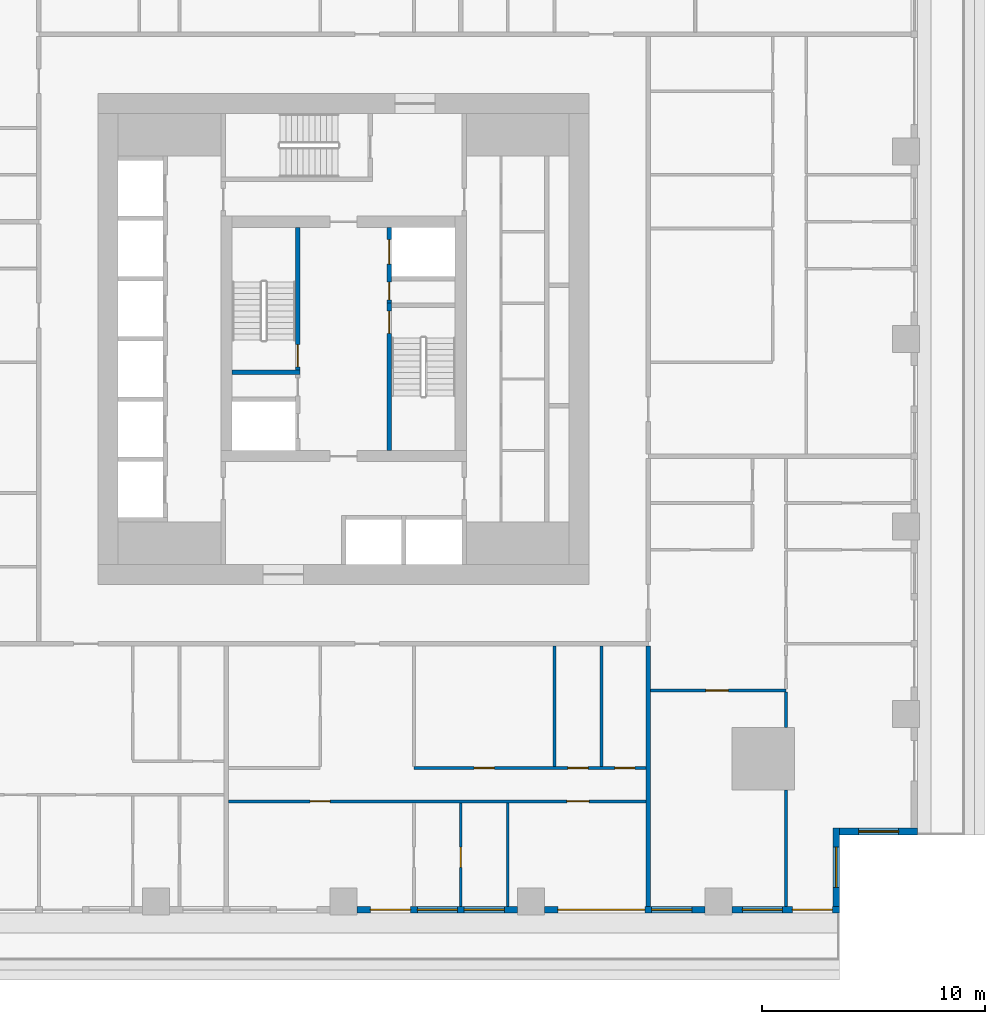
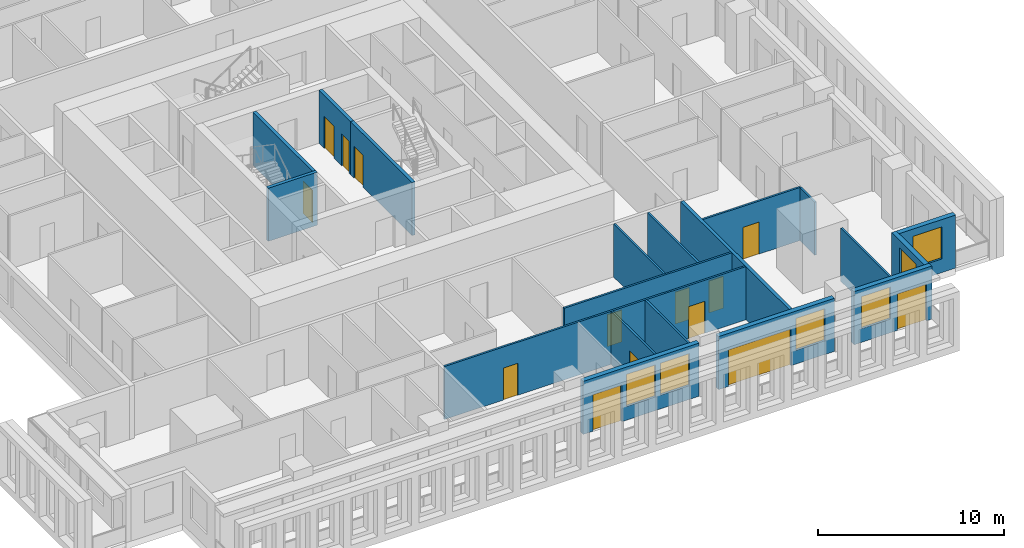
# One storey, part 4 of 15: 19 walls, 14 doors, 6 windows, 20 openings.
"""IFC4 building model written with IfcOpenShell, lengths in metres."""

from ifc_helpers import new_model, si_unit, direction, frame, frame_2d, origin, place, context, subcontext, project, spatial, rectangle, extrude, material, layer, layer_set, type_object, element, fill, save


model = new_model("IFC4")

# Units and contexts
model_context = context("Model", 3, precision=1e-05, world=origin(), true_north=direction((0.0, 1.0)))
body_context = subcontext(model_context, "Body", "Model", "MODEL_VIEW")
ifc_project = project(units=[si_unit("LENGTHUNIT", "METRE"), si_unit("AREAUNIT", "SQUARE_METRE"), si_unit("VOLUMEUNIT", "CUBIC_METRE"), si_unit("PLANEANGLEUNIT", "RADIAN"), si_unit("MASSUNIT", "GRAM", prefix="KILO")], contexts=[model_context])

# Site, building, storey
site_placement = place(None, origin())
site = spatial("IfcSite", under=ifc_project, at=site_placement, CompositionType="ELEMENT")
building_placement = place(site_placement, origin())
building = spatial("IfcBuilding", under=site, at=building_placement, Name="Khepri Terraces", CompositionType="ELEMENT")
storey_placement = place(building_placement, frame((0.0, 0.0, 118.199951171875)))
storey = spatial("IfcBuildingStorey", under=building, at=storey_placement, Name="L28", CompositionType="ELEMENT", Elevation=118.199951171875)

# Wall, opening, door
ifc_material_1 = material(Name="Concrete C70/85", Category="concrete")
ifc_layer_1 = layer(ifc_material_1, 0.199951171875, Name="Concrete C70/85", Category="concrete")
ifc_layer_set_1 = layer_set([ifc_layer_1], Name="Concrete C70/85")
wall_type_1 = type_object("IfcWallType", Name="Core wall 200 C70/85", PredefinedType="SHEAR", material=ifc_layer_set_1)
wall_1_placement = place(storey_placement, frame((2.050048828125, -5.0, 0.0), z_axis=(0.0, 0.0, 1.0), x_axis=(0.0, 1.0, 0.0)))
wall_1 = element("IfcWall", 1, at=wall_1_placement, inside=storey, type_object=wall_type_1, Name="Core wall ST01 L28", PredefinedType="SHEAR", context=body_context, shape_type="SweptSolid", body=[
    extrude(rectangle(XDim=6.60009765625, YDim=0.199951171875, at=frame_2d((3.300048828125, 0.0))), origin(), (0.0, 0.0, 1.0), 3.47998046875),
])
opening_1_placement = place(wall_1_placement, frame((5.25, 0.0, 0.0)))
opening_1 = element("IfcOpeningElement", 2, at=opening_1_placement, cuts=wall_1, Name="Opening L28-C10", PredefinedType="OPENING", context=body_context, shape_type="SweptSolid", body=[
    extrude(rectangle(XDim=1.0, YDim=2.10009765625, at=frame_2d((0.5, 1.050048828125))), frame((0.0, 0.10986328125, 0.0), z_axis=(0.0, -1.0, 0.0), x_axis=(1.0, 0.0, 0.0)), (0.0, 0.0, 1.0), 0.219970703125),
])
ifc_material_2 = material(Name="Painted steel", Category="steel")
door_type_1 = type_object("IfcDoorType", Name="DR-CORE-STAIR-1000", OperationType="NOTDEFINED", PredefinedType="DOOR", material=ifc_material_2)
door_1_placement = place(opening_1_placement, frame((1.0, 0.0, 0.0), z_axis=(0.0, 0.0, 1.0), x_axis=(-1.0, 0.0, 0.0)))
door_1 = element("IfcDoor", 3, at=door_1_placement, inside=storey, type_object=door_type_1, Name="Stair door L28-C10", OperationType="SINGLE_SWING_LEFT", OverallHeight=2.10009765625, OverallWidth=1.0, PredefinedType="DOOR", context=body_context, shape_type="SweptSolid", body=[
    extrude(rectangle(XDim=1.0, YDim=2.10009765625, at=frame_2d((0.5, 1.050048828125))), frame((0.0, 0.02490234375, 0.0), z_axis=(0.0, -1.0, 0.0), x_axis=(1.0, 0.0, 0.0)), (0.0, 0.0, 1.0), 0.050048828125),
])
fill(opening_1, door_1)

# Wall
wall_2_placement = place(storey_placement, frame((-5.0, -1.5, 0.0), z_axis=(0.0, 0.0, 1.0), x_axis=(1.0, 0.0, 0.0)))
element("IfcWall", 4, at=wall_2_placement, inside=storey, type_object=wall_type_1, Name="Core wall ST02 L28", PredefinedType="SHEAR", context=body_context, shape_type="SweptSolid", body=[
    extrude(rectangle(XDim=3.050048828125, YDim=0.199951171875, at=frame_2d((1.52490234375, 0.0))), origin(), (0.0, 0.0, 1.0), 3.47998046875),
])

# Wall, opening, door
wall_3_placement = place(storey_placement, frame((-2.050048828125, -1.39990234375, 0.0), z_axis=(0.0, 0.0, 1.0), x_axis=(0.0, 1.0, 0.0)))
wall_3 = element("IfcWall", 5, at=wall_3_placement, inside=storey, type_object=wall_type_1, Name="Core wall ST03 L28", PredefinedType="SHEAR", context=body_context, shape_type="SweptSolid", body=[
    extrude(rectangle(XDim=6.39990234375, YDim=0.199951171875, at=frame_2d((3.199951171875, 0.0))), origin(), (0.0, 0.0, 1.0), 3.47998046875),
])
opening_2_placement = place(wall_3_placement, frame((0.14990234375, 0.0, 0.0)))
opening_2 = element("IfcOpeningElement", 6, at=opening_2_placement, cuts=wall_3, Name="Opening L28-C09", PredefinedType="OPENING", context=body_context, shape_type="SweptSolid", body=[
    extrude(rectangle(XDim=1.0, YDim=2.10009765625, at=frame_2d((0.5, 1.050048828125))), frame((0.0, 0.10986328125, 0.0), z_axis=(0.0, -1.0, 0.0), x_axis=(1.0, 0.0, 0.0)), (0.0, 0.0, 1.0), 0.219970703125),
])
door_2_placement = place(opening_2_placement, origin())
door_2 = element("IfcDoor", 7, at=door_2_placement, inside=storey, type_object=door_type_1, Name="Stair door L28-C09", OperationType="SINGLE_SWING_LEFT", OverallHeight=2.10009765625, OverallWidth=1.0, PredefinedType="DOOR", context=body_context, shape_type="SweptSolid", body=[
    extrude(rectangle(XDim=1.0, YDim=2.10009765625, at=frame_2d((0.5, 1.050048828125))), frame((0.0, 0.02490234375, 0.0), z_axis=(0.0, -1.0, 0.0), x_axis=(1.0, 0.0, 0.0)), (0.0, 0.0, 1.0), 0.050048828125),
])
fill(opening_2, door_2)

# Wall, openings, doors
wall_4_placement = place(storey_placement, frame((2.050048828125, 1.60009765625, 0.0), z_axis=(0.0, 0.0, 1.0), x_axis=(0.0, 1.0, 0.0)))
wall_4 = element("IfcWall", 8, at=wall_4_placement, inside=storey, type_object=wall_type_1, Name="Core wall SH15 L28", PredefinedType="SHEAR", context=body_context, shape_type="SweptSolid", body=[
    extrude(rectangle(XDim=3.39990234375, YDim=0.199951171875, at=frame_2d((1.699951171875, 0.0))), origin(), (0.0, 0.0, 1.0), 3.47998046875),
])
opening_3_placement = place(wall_4_placement, frame((1.75, 0.0, 0.0)))
opening_3 = element("IfcOpeningElement", 9, at=opening_3_placement, cuts=wall_4, Name="Opening L28-C07", PredefinedType="OPENING", context=body_context, shape_type="SweptSolid", body=[
    extrude(rectangle(XDim=1.10009765625, YDim=2.10009765625, at=frame_2d((0.550048828125, 1.050048828125))), frame((0.0, 0.10986328125, 0.0), z_axis=(0.0, -1.0, 0.0), x_axis=(1.0, 0.0, 0.0)), (0.0, 0.0, 1.0), 0.219970703125),
])
opening_4_placement = place(wall_4_placement, frame((0.14990234375, 0.0, 0.0)))
opening_4 = element("IfcOpeningElement", 10, at=opening_4_placement, cuts=wall_4, Name="Opening L28-C11", PredefinedType="OPENING", context=body_context, shape_type="SweptSolid", body=[
    extrude(rectangle(XDim=0.800048828125, YDim=2.10009765625, at=frame_2d((0.39990234375, 1.050048828125))), frame((0.0, 0.10986328125, 0.0), z_axis=(0.0, -1.0, 0.0), x_axis=(1.0, 0.0, 0.0)), (0.0, 0.0, 1.0), 0.219970703125),
])
ifc_material_3 = material(Name="Stainless steel 304", Category="steel")
door_type_2 = type_object("IfcDoorType", Name="DR-CORE-FF-LANDING-1100", OperationType="NOTDEFINED", PredefinedType="DOOR", material=ifc_material_3)
door_3_placement = place(opening_3_placement, origin())
door_3 = element("IfcDoor", 11, at=door_3_placement, inside=storey, type_object=door_type_2, Name="Firefighting lift landing door L28-C07", OperationType="SLIDING_TO_LEFT", OverallHeight=2.10009765625, OverallWidth=1.10009765625, PredefinedType="DOOR", context=body_context, shape_type="SweptSolid", body=[
    extrude(rectangle(XDim=1.10009765625, YDim=2.10009765625, at=frame_2d((0.550048828125, 1.050048828125))), frame((0.0, 0.02490234375, 0.0), z_axis=(0.0, -1.0, 0.0), x_axis=(1.0, 0.0, 0.0)), (0.0, 0.0, 1.0), 0.050048828125),
])
fill(opening_3, door_3)
door_type_3 = type_object("IfcDoorType", Name="DR-CORE-RISER-800", OperationType="NOTDEFINED", PredefinedType="DOOR", material=ifc_material_2)
door_4_placement = place(opening_4_placement, frame((0.800048828125, 0.0, 0.0), z_axis=(0.0, 0.0, 1.0), x_axis=(-1.0, 0.0, 0.0)))
door_4 = element("IfcDoor", 12, at=door_4_placement, inside=storey, type_object=door_type_3, Name="Riser door L28-C11", OperationType="SINGLE_SWING_RIGHT", OverallHeight=2.10009765625, OverallWidth=0.800048828125, PredefinedType="DOOR", context=body_context, shape_type="SweptSolid", body=[
    extrude(rectangle(XDim=0.800048828125, YDim=2.10009765625, at=frame_2d((0.39990234375, 1.050048828125))), frame((0.0, 0.02490234375, 0.0), z_axis=(0.0, -1.0, 0.0), x_axis=(1.0, 0.0, 0.0)), (0.0, 0.0, 1.0), 0.050048828125),
])
fill(opening_4, door_4)

# Wall
ifc_material_4 = material(Name="Fire-rated gypsum plasterboard partition, mineral wool")
ifc_layer_2 = layer(ifc_material_4, 0.199951171875, Name="Fire-rated gypsum plasterboard partition, mineral wool")
ifc_layer_set_2 = layer_set([ifc_layer_2], Name="Fire-rated gypsum plasterboard partition, mineral wool")
wall_type_2 = type_object("IfcWallType", Name="WL-CORR-200", PredefinedType="PARTITIONING", material=ifc_layer_set_2)
wall_5_placement = place(storey_placement, frame((13.64990234375, -25.419921875, 0.0), z_axis=(0.0, 0.0, 1.0), x_axis=(0.0, 1.0, 0.0)))
element("IfcWall", 13, at=wall_5_placement, inside=storey, type_object=wall_type_2, Name="Partition P-008 L28", PredefinedType="PARTITIONING", context=body_context, shape_type="SweptSolid", body=[
    extrude(rectangle(XDim=11.669921875, YDim=0.199951171875, at=frame_2d((5.8349609375, 0.0))), origin(), (0.0, 0.0, 1.0), 3.47998046875),
])

# Wall, opening, window
ifc_material_5 = material(Name="Precast concrete C50/60 warm stone", Category="masonry")
ifc_layer_3 = layer(ifc_material_5, 0.300048828125, Name="Precast concrete C50/60 warm stone", Category="masonry")
ifc_layer_set_3 = layer_set([ifc_layer_3], Name="Precast concrete C50/60 warm stone")
wall_type_3 = type_object("IfcWallType", Name="WL-EXT-PRECAST-300", PredefinedType="STANDARD", material=ifc_layer_set_3)
wall_6_placement = place(storey_placement, frame((22.219970703125, -22.070068359375, 0.0), z_axis=(0.0, 0.0, 1.0), x_axis=(1.0, 0.0, 0.0)))
wall_6 = element("IfcWall", 14, at=wall_6_placement, inside=storey, type_object=wall_type_3, Name="External wall L28 S", PredefinedType="STANDARD", context=body_context, shape_type="SweptSolid", body=[
    extrude(rectangle(XDim=3.5, YDim=0.300048828125, at=frame_2d((1.75, 0.0))), origin(), (0.0, 0.0, 1.0), 3.47998046875),
])
opening_5_placement = place(wall_6_placement, frame((0.85009765625, 0.0, 0.89990234375)))
opening_5 = element("IfcOpeningElement", 15, at=opening_5_placement, cuts=wall_6, Name="Opening W1", PredefinedType="OPENING", context=body_context, shape_type="SweptSolid", body=[
    extrude(rectangle(XDim=1.800048828125, YDim=2.10009765625, at=frame_2d((0.89990234375, 1.050048828125))), frame((0.0, 0.16015625, 0.0), z_axis=(0.0, -1.0, 0.0), x_axis=(1.0, 0.0, 0.0)), (0.0, 0.0, 1.0), 0.320068359375),
])
ifc_material_6 = material(Name="Clear glass", Category="glass")
window_type = type_object("IfcWindowType", Name="WIN-RES-1800x2100", PartitioningType="SINGLE_PANEL", PredefinedType="WINDOW", material=ifc_material_6)
window_1_placement = place(opening_5_placement, origin())
window_1 = element("IfcWindow", 16, at=window_1_placement, inside=storey, type_object=window_type, Name="Window L28 S", OverallHeight=2.10009765625, OverallWidth=1.800048828125, PartitioningType="SINGLE_PANEL", PredefinedType="WINDOW", context=body_context, shape_type="SweptSolid", body=[
    extrude(rectangle(XDim=1.800048828125, YDim=2.10009765625, at=frame_2d((0.89990234375, 1.050048828125))), frame((0.0, 0.030029296875, 0.0), z_axis=(0.0, -1.0, 0.0), x_axis=(1.0, 0.0, 0.0)), (0.0, 0.0, 1.0), 0.06005859375),
])
fill(opening_5, window_1)

# Wall, openings, door, windows
wall_7_placement = place(storey_placement, frame((0.60009765625, -25.570068359375, 0.0), z_axis=(0.0, 0.0, 1.0), x_axis=(1.0, 0.0, 0.0)))
wall_7 = element("IfcWall", 17, at=wall_7_placement, inside=storey, type_object=wall_type_3, Name="External wall L28 S", PredefinedType="STANDARD", context=body_context, shape_type="SweptSolid", body=[
    extrude(rectangle(XDim=7.199951171875, YDim=0.300048828125, at=frame_2d((3.60009765625, 0.0))), origin(), (0.0, 0.0, 1.0), 3.47998046875),
])
opening_6_placement = place(wall_7_placement, frame((0.60009765625, 0.0, 0.0)))
opening_6 = element("IfcOpeningElement", 18, at=opening_6_placement, cuts=wall_7, Name="Opening ED-L28-24", PredefinedType="OPENING", context=body_context, shape_type="SweptSolid", body=[
    extrude(rectangle(XDim=1.800048828125, YDim=2.39990234375, at=frame_2d((0.89990234375, 1.199951171875))), frame((0.0, 0.16015625, 0.0), z_axis=(0.0, -1.0, 0.0), x_axis=(1.0, 0.0, 0.0)), (0.0, 0.0, 1.0), 0.320068359375),
])
opening_7_placement = place(wall_7_placement, frame((2.699951171875, 0.0, 0.89990234375)))
opening_7 = element("IfcOpeningElement", 19, at=opening_7_placement, cuts=wall_7, Name="Opening W1", PredefinedType="OPENING", context=body_context, shape_type="SweptSolid", body=[
    extrude(rectangle(XDim=1.800048828125, YDim=2.10009765625, at=frame_2d((0.89990234375, 1.050048828125))), frame((0.0, 0.16015625, 0.0), z_axis=(0.0, -1.0, 0.0), x_axis=(1.0, 0.0, 0.0)), (0.0, 0.0, 1.0), 0.320068359375),
])
opening_8_placement = place(wall_7_placement, frame((4.800048828125, 0.0, 0.89990234375)))
opening_8 = element("IfcOpeningElement", 20, at=opening_8_placement, cuts=wall_7, Name="Opening W1", PredefinedType="OPENING", context=body_context, shape_type="SweptSolid", body=[
    extrude(rectangle(XDim=1.800048828125, YDim=2.10009765625, at=frame_2d((0.89990234375, 1.050048828125))), frame((0.0, 0.16015625, 0.0), z_axis=(0.0, -1.0, 0.0), x_axis=(1.0, 0.0, 0.0)), (0.0, 0.0, 1.0), 0.320068359375),
])
ifc_material_7 = material(Name="Anodised aluminium bronze glazed door", Category="aluminium")
door_type_4 = type_object("IfcDoorType", Name="DR-BAL-SLIDE-1800x2400", OperationType="NOTDEFINED", PredefinedType="DOOR", material=ifc_material_7)
door_5_placement = place(opening_6_placement, origin())
door_5 = element("IfcDoor", 21, at=door_5_placement, inside=storey, type_object=door_type_4, Name="Balcony door L28 S", OperationType="SLIDING_TO_LEFT", OverallHeight=2.39990234375, OverallWidth=1.800048828125, PredefinedType="DOOR", context=body_context, shape_type="SweptSolid", body=[
    extrude(rectangle(XDim=1.800048828125, YDim=2.39990234375, at=frame_2d((0.89990234375, 1.199951171875))), frame((0.0, 0.02490234375, 0.0), z_axis=(0.0, -1.0, 0.0), x_axis=(1.0, 0.0, 0.0)), (0.0, 0.0, 1.0), 0.050048828125),
])
fill(opening_6, door_5)
window_2_placement = place(opening_7_placement, origin())
window_2 = element("IfcWindow", 22, at=window_2_placement, inside=storey, type_object=window_type, Name="Window L28 S", OverallHeight=2.10009765625, OverallWidth=1.800048828125, PartitioningType="SINGLE_PANEL", PredefinedType="WINDOW", context=body_context, shape_type="SweptSolid", body=[
    extrude(rectangle(XDim=1.800048828125, YDim=2.10009765625, at=frame_2d((0.89990234375, 1.050048828125))), frame((0.0, 0.030029296875, 0.0), z_axis=(0.0, -1.0, 0.0), x_axis=(1.0, 0.0, 0.0)), (0.0, 0.0, 1.0), 0.06005859375),
])
fill(opening_7, window_2)
window_3_placement = place(opening_8_placement, origin())
window_3 = element("IfcWindow", 23, at=window_3_placement, inside=storey, type_object=window_type, Name="Window L28 S", OverallHeight=2.10009765625, OverallWidth=1.800048828125, PartitioningType="SINGLE_PANEL", PredefinedType="WINDOW", context=body_context, shape_type="SweptSolid", body=[
    extrude(rectangle(XDim=1.800048828125, YDim=2.10009765625, at=frame_2d((0.89990234375, 1.050048828125))), frame((0.0, 0.030029296875, 0.0), z_axis=(0.0, -1.0, 0.0), x_axis=(1.0, 0.0, 0.0)), (0.0, 0.0, 1.0), 0.06005859375),
])
fill(opening_8, window_3)

# Wall, openings, door, window
wall_8_placement = place(storey_placement, frame((9.0, -25.570068359375, 0.0), z_axis=(0.0, 0.0, 1.0), x_axis=(1.0, 0.0, 0.0)))
wall_8 = element("IfcWall", 24, at=wall_8_placement, inside=storey, type_object=wall_type_3, Name="External wall L28 S", PredefinedType="STANDARD", context=body_context, shape_type="SweptSolid", body=[
    extrude(rectangle(XDim=7.199951171875, YDim=0.300048828125, at=frame_2d((3.60009765625, 0.0))), origin(), (0.0, 0.0, 1.0), 3.47998046875),
])
opening_9_placement = place(wall_8_placement, frame((0.60009765625, 0.0, 0.0)))
opening_9 = element("IfcOpeningElement", 25, at=opening_9_placement, cuts=wall_8, Name="Opening ED-L28-25", PredefinedType="OPENING", context=body_context, shape_type="SweptSolid", body=[
    extrude(rectangle(XDim=3.89990234375, YDim=2.39990234375, at=frame_2d((1.949951171875, 1.199951171875))), frame((0.0, 0.16015625, 0.0), z_axis=(0.0, -1.0, 0.0), x_axis=(1.0, 0.0, 0.0)), (0.0, 0.0, 1.0), 0.320068359375),
])
opening_10_placement = place(wall_8_placement, frame((4.800048828125, 0.0, 0.89990234375)))
opening_10 = element("IfcOpeningElement", 26, at=opening_10_placement, cuts=wall_8, Name="Opening W1", PredefinedType="OPENING", context=body_context, shape_type="SweptSolid", body=[
    extrude(rectangle(XDim=1.800048828125, YDim=2.10009765625, at=frame_2d((0.89990234375, 1.050048828125))), frame((0.0, 0.16015625, 0.0), z_axis=(0.0, -1.0, 0.0), x_axis=(1.0, 0.0, 0.0)), (0.0, 0.0, 1.0), 0.320068359375),
])
door_type_5 = type_object("IfcDoorType", Name="DR-BAL-SLIDE-3900x2400", OperationType="NOTDEFINED", PredefinedType="DOOR", material=ifc_material_7)
door_6_placement = place(opening_9_placement, origin())
door_6 = element("IfcDoor", 27, at=door_6_placement, inside=storey, type_object=door_type_5, Name="Balcony door L28 S", OperationType="SLIDING_TO_LEFT", OverallHeight=2.39990234375, OverallWidth=3.89990234375, PredefinedType="DOOR", context=body_context, shape_type="SweptSolid", body=[
    extrude(rectangle(XDim=3.89990234375, YDim=2.39990234375, at=frame_2d((1.949951171875, 1.199951171875))), frame((0.0, 0.02490234375, 0.0), z_axis=(0.0, -1.0, 0.0), x_axis=(1.0, 0.0, 0.0)), (0.0, 0.0, 1.0), 0.050048828125),
])
fill(opening_9, door_6)
window_4_placement = place(opening_10_placement, origin())
window_4 = element("IfcWindow", 28, at=window_4_placement, inside=storey, type_object=window_type, Name="Window L28 S", OverallHeight=2.10009765625, OverallWidth=1.800048828125, PartitioningType="SINGLE_PANEL", PredefinedType="WINDOW", context=body_context, shape_type="SweptSolid", body=[
    extrude(rectangle(XDim=1.800048828125, YDim=2.10009765625, at=frame_2d((0.89990234375, 1.050048828125))), frame((0.0, 0.030029296875, 0.0), z_axis=(0.0, -1.0, 0.0), x_axis=(1.0, 0.0, 0.0)), (0.0, 0.0, 1.0), 0.06005859375),
])
fill(opening_10, window_4)

wall_9_placement = place(storey_placement, frame((17.39990234375, -25.570068359375, 0.0), z_axis=(0.0, 0.0, 1.0), x_axis=(1.0, 0.0, 0.0)))
wall_9 = element("IfcWall", 29, at=wall_9_placement, inside=storey, type_object=wall_type_3, Name="External wall L28 S", PredefinedType="STANDARD", context=body_context, shape_type="SweptSolid", body=[
    extrude(rectangle(XDim=4.820068359375, YDim=0.300048828125, at=frame_2d((2.41015625, 0.0))), origin(), (0.0, 0.0, 1.0), 3.47998046875),
])
opening_11_placement = place(wall_9_placement, frame((2.699951171875, 0.0, 0.0)))
opening_11 = element("IfcOpeningElement", 30, at=opening_11_placement, cuts=wall_9, Name="Opening ED-L28-26", PredefinedType="OPENING", context=body_context, shape_type="SweptSolid", body=[
    extrude(rectangle(XDim=1.800048828125, YDim=2.39990234375, at=frame_2d((0.89990234375, 1.199951171875))), frame((0.0, 0.16015625, 0.0), z_axis=(0.0, -1.0, 0.0), x_axis=(1.0, 0.0, 0.0)), (0.0, 0.0, 1.0), 0.320068359375),
])
opening_12_placement = place(wall_9_placement, frame((0.4599609375, 0.0, 0.89990234375)))
opening_12 = element("IfcOpeningElement", 31, at=opening_12_placement, cuts=wall_9, Name="Opening W1", PredefinedType="OPENING", context=body_context, shape_type="SweptSolid", body=[
    extrude(rectangle(XDim=1.800048828125, YDim=2.10009765625, at=frame_2d((0.89990234375, 1.050048828125))), frame((0.0, 0.16015625, 0.0), z_axis=(0.0, -1.0, 0.0), x_axis=(1.0, 0.0, 0.0)), (0.0, 0.0, 1.0), 0.320068359375),
])
door_7_placement = place(opening_11_placement, origin())
door_7 = element("IfcDoor", 32, at=door_7_placement, inside=storey, type_object=door_type_4, Name="Balcony door L28 S", OperationType="SLIDING_TO_LEFT", OverallHeight=2.39990234375, OverallWidth=1.800048828125, PredefinedType="DOOR", context=body_context, shape_type="SweptSolid", body=[
    extrude(rectangle(XDim=1.800048828125, YDim=2.39990234375, at=frame_2d((0.89990234375, 1.199951171875))), frame((0.0, 0.02490234375, 0.0), z_axis=(0.0, -1.0, 0.0), x_axis=(1.0, 0.0, 0.0)), (0.0, 0.0, 1.0), 0.050048828125),
])
fill(opening_11, door_7)
window_5_placement = place(opening_12_placement, origin())
window_5 = element("IfcWindow", 33, at=window_5_placement, inside=storey, type_object=window_type, Name="Window L28 S", OverallHeight=2.10009765625, OverallWidth=1.800048828125, PartitioningType="SINGLE_PANEL", PredefinedType="WINDOW", context=body_context, shape_type="SweptSolid", body=[
    extrude(rectangle(XDim=1.800048828125, YDim=2.10009765625, at=frame_2d((0.89990234375, 1.050048828125))), frame((0.0, 0.030029296875, 0.0), z_axis=(0.0, -1.0, 0.0), x_axis=(1.0, 0.0, 0.0)), (0.0, 0.0, 1.0), 0.06005859375),
])
fill(opening_12, window_5)

# Wall, opening, window
wall_10_placement = place(storey_placement, frame((22.070068359375, -25.419921875, 0.0), z_axis=(0.0, 0.0, 1.0), x_axis=(0.0, 1.0, 0.0)))
wall_10 = element("IfcWall", 34, at=wall_10_placement, inside=storey, type_object=wall_type_3, Name="External wall L28 E", PredefinedType="STANDARD", context=body_context, shape_type="SweptSolid", body=[
    extrude(rectangle(XDim=3.5, YDim=0.300048828125, at=frame_2d((1.75, 0.0))), origin(), (0.0, 0.0, 1.0), 3.47998046875),
])
opening_13_placement = place(wall_10_placement, frame((0.85009765625, 0.0, 0.89990234375)))
opening_13 = element("IfcOpeningElement", 35, at=opening_13_placement, cuts=wall_10, Name="Opening W1", PredefinedType="OPENING", context=body_context, shape_type="SweptSolid", body=[
    extrude(rectangle(XDim=1.800048828125, YDim=2.10009765625, at=frame_2d((0.89990234375, 1.050048828125))), frame((0.0, 0.16015625, 0.0), z_axis=(0.0, -1.0, 0.0), x_axis=(1.0, 0.0, 0.0)), (0.0, 0.0, 1.0), 0.320068359375),
])
window_6_placement = place(opening_13_placement, origin())
window_6 = element("IfcWindow", 36, at=window_6_placement, inside=storey, type_object=window_type, Name="Window L28 E", OverallHeight=2.10009765625, OverallWidth=1.800048828125, PartitioningType="SINGLE_PANEL", PredefinedType="WINDOW", context=body_context, shape_type="SweptSolid", body=[
    extrude(rectangle(XDim=1.800048828125, YDim=2.10009765625, at=frame_2d((0.89990234375, 1.050048828125))), frame((0.0, 0.030029296875, 0.0), z_axis=(0.0, -1.0, 0.0), x_axis=(1.0, 0.0, 0.0)), (0.0, 0.0, 1.0), 0.06005859375),
])
fill(opening_13, window_6)

# Wall, opening, door
ifc_material_8 = material(Name="Gypsum plasterboard partition")
ifc_layer_4 = layer(ifc_material_8, 0.1201171875, Name="Gypsum plasterboard partition")
ifc_layer_set_4 = layer_set([ifc_layer_4], Name="Gypsum plasterboard partition")
wall_type_4 = type_object("IfcWallType", Name="WL-PART-120", PredefinedType="PARTITIONING", material=ifc_layer_set_4)
wall_11_placement = place(storey_placement, frame((5.25, -25.419921875, 0.0), z_axis=(0.0, 0.0, 1.0), x_axis=(0.0, 1.0, 0.0)))
wall_11 = element("IfcWall", 37, at=wall_11_placement, inside=storey, type_object=wall_type_4, Name="Partition P-006 L28", PredefinedType="PARTITIONING", context=body_context, shape_type="SweptSolid", body=[
    extrude(rectangle(XDim=4.639892578125, YDim=0.1201171875, at=frame_2d((2.31982421875, 0.0))), origin(), (0.0, 0.0, 1.0), 3.47998046875),
])
opening_14_placement = place(wall_11_placement, frame((1.75, 0.0, 0.0)))
opening_14 = element("IfcOpeningElement", 38, at=opening_14_placement, cuts=wall_11, Name="Opening D4", PredefinedType="OPENING", context=body_context, shape_type="SweptSolid", body=[
    extrude(rectangle(XDim=0.89990234375, YDim=2.10009765625, at=frame_2d((0.449951171875, 1.050048828125))), frame((0.0, 0.070068359375, 0.0), z_axis=(0.0, -1.0, 0.0), x_axis=(1.0, 0.0, 0.0)), (0.0, 0.0, 1.0), 0.14013671875),
])
ifc_material_9 = material(Name="Timber door leaf, moisture resistant", Category="wood")
door_type_6 = type_object("IfcDoorType", Name="DR-WET-900", OperationType="NOTDEFINED", PredefinedType="DOOR", material=ifc_material_9)
door_8_placement = place(opening_14_placement, frame((0.89990234375, 0.0, 0.0), z_axis=(0.0, 0.0, 1.0), x_axis=(-1.0, 0.0, 0.0)))
door_8 = element("IfcDoor", 39, at=door_8_placement, inside=storey, type_object=door_type_6, Name="Door Bathroom", OperationType="SINGLE_SWING_RIGHT", OverallHeight=2.10009765625, OverallWidth=0.89990234375, PredefinedType="DOOR", context=body_context, shape_type="SweptSolid", body=[
    extrude(rectangle(XDim=0.89990234375, YDim=2.10009765625, at=frame_2d((0.449951171875, 1.050048828125))), frame((0.0, 0.02490234375, 0.0), z_axis=(0.0, -1.0, 0.0), x_axis=(1.0, 0.0, 0.0)), (0.0, 0.0, 1.0), 0.050048828125),
])
fill(opening_14, door_8)

# Walls
wall_12_placement = place(storey_placement, frame((7.35009765625, -25.419921875, 0.0), z_axis=(0.0, 0.0, 1.0), x_axis=(0.0, 1.0, 0.0)))
element("IfcWall", 40, at=wall_12_placement, inside=storey, type_object=wall_type_4, Name="Partition P-007 L28", PredefinedType="PARTITIONING", context=body_context, shape_type="SweptSolid", body=[
    extrude(rectangle(XDim=4.639892578125, YDim=0.1201171875, at=frame_2d((2.31982421875, 0.0))), origin(), (0.0, 0.0, 1.0), 3.47998046875),
])
wall_13_placement = place(storey_placement, frame((19.820068359375, -25.419921875, 0.0), z_axis=(0.0, 0.0, 1.0), x_axis=(0.0, 1.0, 0.0)))
element("IfcWall", 41, at=wall_13_placement, inside=storey, type_object=wall_type_4, Name="Partition P-009 L28", PredefinedType="PARTITIONING", context=body_context, shape_type="SweptSolid", body=[
    extrude(rectangle(XDim=5.219970703125, YDim=0.1201171875, at=frame_2d((2.60986328125, 0.0))), origin(), (0.0, 0.0, 1.0), 3.47998046875),
])

# Wall, openings, doors
wall_14_placement = place(storey_placement, frame((-5.14990234375, -20.719970703125, 0.0), z_axis=(0.0, 0.0, 1.0), x_axis=(1.0, 0.0, 0.0)))
wall_14 = element("IfcWall", 42, at=wall_14_placement, inside=storey, type_object=wall_type_4, Name="Partition P-010 L28", PredefinedType="PARTITIONING", context=body_context, shape_type="SweptSolid", body=[
    extrude(rectangle(XDim=18.699951171875, YDim=0.1201171875, at=frame_2d((9.35009765625, 0.0))), origin(), (0.0, 0.0, 1.0), 3.47998046875),
])
opening_15_placement = place(wall_14_placement, frame((3.64990234375, 0.0, 0.0)))
opening_15 = element("IfcOpeningElement", 43, at=opening_15_placement, cuts=wall_14, Name="Opening D3", PredefinedType="OPENING", context=body_context, shape_type="SweptSolid", body=[
    extrude(rectangle(XDim=0.89990234375, YDim=2.10009765625, at=frame_2d((0.449951171875, 1.050048828125))), frame((0.0, 0.070068359375, 0.0), z_axis=(0.0, -1.0, 0.0), x_axis=(1.0, 0.0, 0.0)), (0.0, 0.0, 1.0), 0.14013671875),
])
opening_16_placement = place(wall_14_placement, frame((15.14990234375, 0.0, 0.0)))
opening_16 = element("IfcOpeningElement", 44, at=opening_16_placement, cuts=wall_14, Name="Opening D2", PredefinedType="OPENING", context=body_context, shape_type="SweptSolid", body=[
    extrude(rectangle(XDim=1.0, YDim=2.10009765625, at=frame_2d((0.5, 1.050048828125))), frame((0.0, 0.070068359375, 0.0), z_axis=(0.0, -1.0, 0.0), x_axis=(1.0, 0.0, 0.0)), (0.0, 0.0, 1.0), 0.14013671875),
])
ifc_material_10 = material(Name="Timber door leaf, living room door", Category="wood")
door_type_7 = type_object("IfcDoorType", Name="DR-INT-1000", OperationType="NOTDEFINED", PredefinedType="DOOR", material=ifc_material_10)
door_9_placement = place(opening_16_placement, frame((1.0, 0.0, 0.0), z_axis=(0.0, 0.0, 1.0), x_axis=(-1.0, 0.0, 0.0)))
door_9 = element("IfcDoor", 45, at=door_9_placement, inside=storey, type_object=door_type_7, Name="Door Living Room", OperationType="SINGLE_SWING_LEFT", OverallHeight=2.10009765625, OverallWidth=1.0, PredefinedType="DOOR", context=body_context, shape_type="SweptSolid", body=[
    extrude(rectangle(XDim=1.0, YDim=2.10009765625, at=frame_2d((0.5, 1.050048828125))), frame((0.0, 0.02490234375, 0.0), z_axis=(0.0, -1.0, 0.0), x_axis=(1.0, 0.0, 0.0)), (0.0, 0.0, 1.0), 0.050048828125),
])
fill(opening_16, door_9)
ifc_material_11 = material(Name="Timber door leaf", Category="wood")
door_type_8 = type_object("IfcDoorType", Name="DR-INT-900", OperationType="NOTDEFINED", PredefinedType="DOOR", material=ifc_material_11)
door_10_placement = place(opening_15_placement, frame((0.89990234375, 0.0, 0.0), z_axis=(0.0, 0.0, 1.0), x_axis=(-1.0, 0.0, 0.0)))
door_10 = element("IfcDoor", 46, at=door_10_placement, inside=storey, type_object=door_type_8, Name="Door Master Bedroom", OperationType="SINGLE_SWING_RIGHT", OverallHeight=2.10009765625, OverallWidth=0.89990234375, PredefinedType="DOOR", context=body_context, shape_type="SweptSolid", body=[
    extrude(rectangle(XDim=0.89990234375, YDim=2.10009765625, at=frame_2d((0.449951171875, 1.050048828125))), frame((0.0, 0.02490234375, 0.0), z_axis=(0.0, -1.0, 0.0), x_axis=(1.0, 0.0, 0.0)), (0.0, 0.0, 1.0), 0.050048828125),
])
fill(opening_15, door_10)

wall_15_placement = place(storey_placement, frame((3.14990234375, -19.219970703125, 0.0), z_axis=(0.0, 0.0, 1.0), x_axis=(1.0, 0.0, 0.0)))
wall_15 = element("IfcWall", 47, at=wall_15_placement, inside=storey, type_object=wall_type_4, Name="Partition P-014 L28", PredefinedType="PARTITIONING", context=body_context, shape_type="SweptSolid", body=[
    extrude(rectangle(XDim=10.400146484375, YDim=0.1201171875, at=frame_2d((5.2001953125, 0.0))), origin(), (0.0, 0.0, 1.0), 3.47998046875),
])
opening_17_placement = place(wall_15_placement, frame((2.699951171875, 0.0, 0.0)))
opening_17 = element("IfcOpeningElement", 48, at=opening_17_placement, cuts=wall_15, Name="Opening D3", PredefinedType="OPENING", context=body_context, shape_type="SweptSolid", body=[
    extrude(rectangle(XDim=0.89990234375, YDim=2.10009765625, at=frame_2d((0.449951171875, 1.050048828125))), frame((0.0, 0.070068359375, 0.0), z_axis=(0.0, -1.0, 0.0), x_axis=(1.0, 0.0, 0.0)), (0.0, 0.0, 1.0), 0.14013671875),
])
opening_18_placement = place(wall_15_placement, frame((6.89990234375, 0.0, 0.0)))
opening_18 = element("IfcOpeningElement", 49, at=opening_18_placement, cuts=wall_15, Name="Opening D4", PredefinedType="OPENING", context=body_context, shape_type="SweptSolid", body=[
    extrude(rectangle(XDim=0.89990234375, YDim=2.10009765625, at=frame_2d((0.449951171875, 1.050048828125))), frame((0.0, 0.070068359375, 0.0), z_axis=(0.0, -1.0, 0.0), x_axis=(1.0, 0.0, 0.0)), (0.0, 0.0, 1.0), 0.14013671875),
])
opening_19_placement = place(wall_15_placement, frame((9.0, 0.0, 0.0)))
opening_19 = element("IfcOpeningElement", 50, at=opening_19_placement, cuts=wall_15, Name="Opening D3", PredefinedType="OPENING", context=body_context, shape_type="SweptSolid", body=[
    extrude(rectangle(XDim=0.89990234375, YDim=2.10009765625, at=frame_2d((0.449951171875, 1.050048828125))), frame((0.0, 0.070068359375, 0.0), z_axis=(0.0, -1.0, 0.0), x_axis=(1.0, 0.0, 0.0)), (0.0, 0.0, 1.0), 0.14013671875),
])
door_11_placement = place(opening_17_placement, origin())
door_11 = element("IfcDoor", 51, at=door_11_placement, inside=storey, type_object=door_type_8, Name="Door Kitchen", OperationType="SINGLE_SWING_LEFT", OverallHeight=2.10009765625, OverallWidth=0.89990234375, PredefinedType="DOOR", context=body_context, shape_type="SweptSolid", body=[
    extrude(rectangle(XDim=0.89990234375, YDim=2.10009765625, at=frame_2d((0.449951171875, 1.050048828125))), frame((0.0, 0.02490234375, 0.0), z_axis=(0.0, -1.0, 0.0), x_axis=(1.0, 0.0, 0.0)), (0.0, 0.0, 1.0), 0.050048828125),
])
fill(opening_17, door_11)
door_12_placement = place(opening_19_placement, origin())
door_12 = element("IfcDoor", 52, at=door_12_placement, inside=storey, type_object=door_type_8, Name="Door Utility Room", OperationType="SINGLE_SWING_RIGHT", OverallHeight=2.10009765625, OverallWidth=0.89990234375, PredefinedType="DOOR", context=body_context, shape_type="SweptSolid", body=[
    extrude(rectangle(XDim=0.89990234375, YDim=2.10009765625, at=frame_2d((0.449951171875, 1.050048828125))), frame((0.0, 0.02490234375, 0.0), z_axis=(0.0, -1.0, 0.0), x_axis=(1.0, 0.0, 0.0)), (0.0, 0.0, 1.0), 0.050048828125),
])
fill(opening_19, door_12)
door_13_placement = place(opening_18_placement, origin())
door_13 = element("IfcDoor", 53, at=door_13_placement, inside=storey, type_object=door_type_6, Name="Door Guest Bathroom", OperationType="SINGLE_SWING_RIGHT", OverallHeight=2.10009765625, OverallWidth=0.89990234375, PredefinedType="DOOR", context=body_context, shape_type="SweptSolid", body=[
    extrude(rectangle(XDim=0.89990234375, YDim=2.10009765625, at=frame_2d((0.449951171875, 1.050048828125))), frame((0.0, 0.02490234375, 0.0), z_axis=(0.0, -1.0, 0.0), x_axis=(1.0, 0.0, 0.0)), (0.0, 0.0, 1.0), 0.050048828125),
])
fill(opening_18, door_13)

# Walls
for number, where, z_axis, x_axis, name in (
    (54, (9.449951171875, -19.159912109375, 0.0), (0.0, 0.0, 1.0), (0.0, 1.0, 0.0), "Partition P-017 L28"),
    (55, (11.550048828125, -19.159912109375, 0.0), (0.0, 0.0, 1.0), (0.0, 1.0, 0.0), "Partition P-018 L28"),
):
    element("IfcWall", number, at=place(storey_placement, frame(where, z_axis=z_axis, x_axis=x_axis)), inside=storey, type_object=wall_type_4, Name=name, PredefinedType="PARTITIONING", context=body_context, shape_type="SweptSolid", body=[
        extrude(rectangle(XDim=5.409912109375, YDim=0.1201171875, at=frame_2d((2.705078125, 0.0))), origin(), (0.0, 0.0, 1.0), 3.47998046875),
    ])
wall_16_placement = place(storey_placement, frame((19.820068359375, -17.39990234375, 0.0), z_axis=(0.0, 0.0, 1.0), x_axis=(0.0, 1.0, 0.0)))
element("IfcWall", 56, at=wall_16_placement, inside=storey, type_object=wall_type_4, Name="Partition P-022 L28", PredefinedType="PARTITIONING", context=body_context, shape_type="SweptSolid", body=[
    extrude(rectangle(XDim=1.58984375, YDim=0.1201171875, at=frame_2d((0.794921875, 0.0))), origin(), (0.0, 0.0, 1.0), 3.47998046875),
])

# Wall, opening, door
wall_17_placement = place(storey_placement, frame((13.75, -15.75, 0.0), z_axis=(0.0, 0.0, 1.0), x_axis=(1.0, 0.0, 0.0)))
wall_17 = element("IfcWall", 57, at=wall_17_placement, inside=storey, type_object=wall_type_4, Name="Partition P-023 L28", PredefinedType="PARTITIONING", context=body_context, shape_type="SweptSolid", body=[
    extrude(rectangle(XDim=6.070068359375, YDim=0.1201171875, at=frame_2d((3.03515625, 0.0))), origin(), (0.0, 0.0, 1.0), 3.47998046875),
])
opening_20_placement = place(wall_17_placement, frame((2.485107421875, 0.0, 0.0)))
opening_20 = element("IfcOpeningElement", 58, at=opening_20_placement, cuts=wall_17, Name="Opening D2", PredefinedType="OPENING", context=body_context, shape_type="SweptSolid", body=[
    extrude(rectangle(XDim=1.0, YDim=2.10009765625, at=frame_2d((0.5, 1.050048828125))), frame((0.0, 0.070068359375, 0.0), z_axis=(0.0, -1.0, 0.0), x_axis=(1.0, 0.0, 0.0)), (0.0, 0.0, 1.0), 0.14013671875),
])
door_14_placement = place(opening_20_placement, frame((1.0, 0.0, 0.0), z_axis=(0.0, 0.0, 1.0), x_axis=(-1.0, 0.0, 0.0)))
door_14 = element("IfcDoor", 59, at=door_14_placement, inside=storey, type_object=door_type_7, Name="Door Family Room", OperationType="SINGLE_SWING_RIGHT", OverallHeight=2.10009765625, OverallWidth=1.0, PredefinedType="DOOR", context=body_context, shape_type="SweptSolid", body=[
    extrude(rectangle(XDim=1.0, YDim=2.10009765625, at=frame_2d((0.5, 1.050048828125))), frame((0.0, 0.02490234375, 0.0), z_axis=(0.0, -1.0, 0.0), x_axis=(1.0, 0.0, 0.0)), (0.0, 0.0, 1.0), 0.050048828125),
])
fill(opening_20, door_14)

save(model, "model.ifc")
